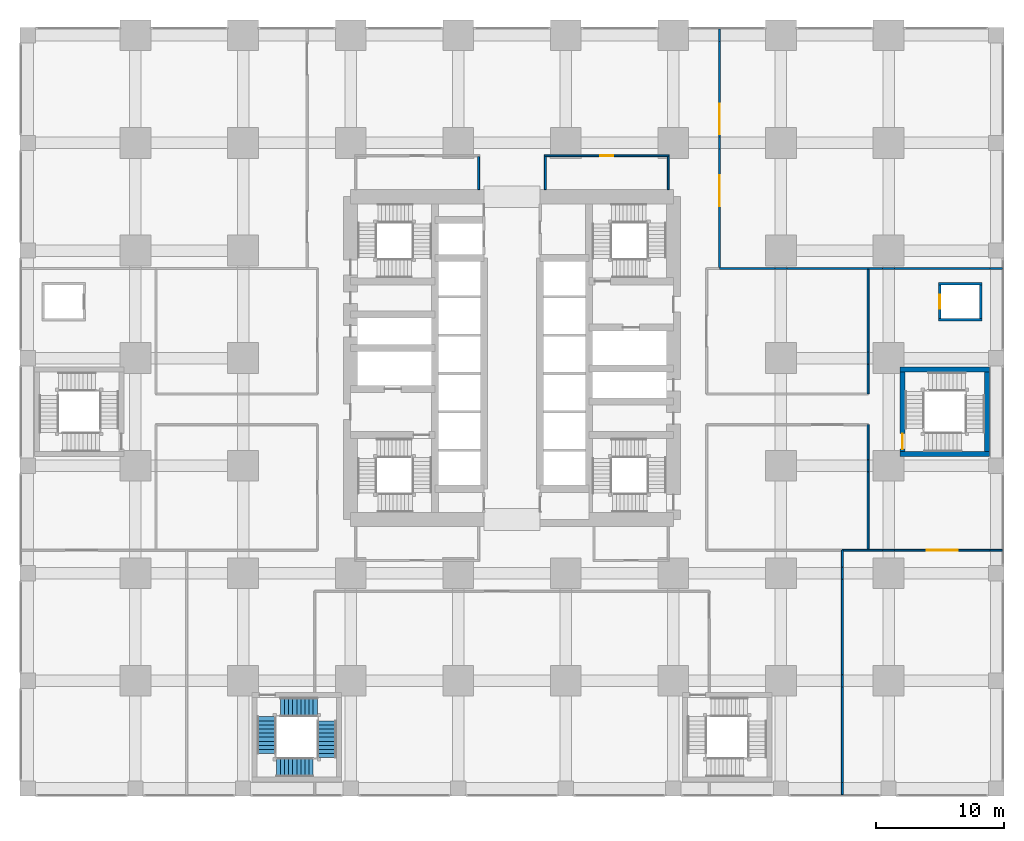
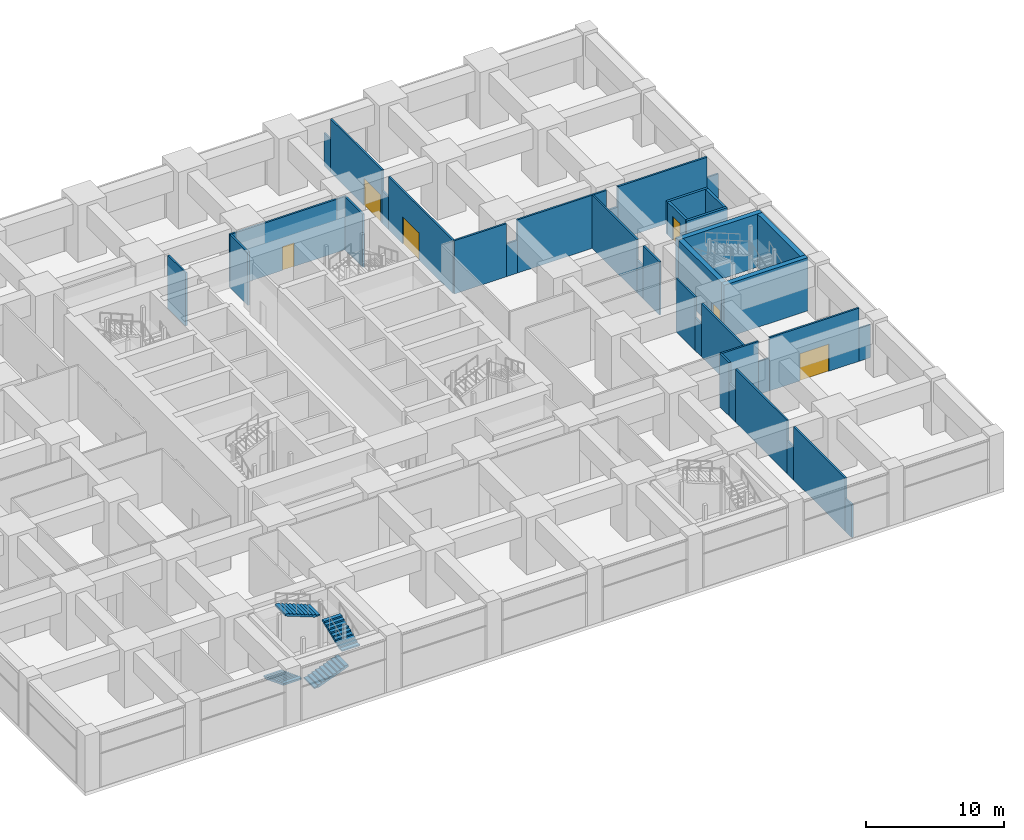
# One storey, part 39 of 49: 38 walls, 6 doors, 4 stair flights, 6 openings, 1 element without a shape of its own.
"""IFC4 building model written with IfcOpenShell, lengths in metres."""

from ifc_helpers import new_model, si_unit, direction, frame, frame_2d, origin, place, context, subcontext, project, spatial, polyline, rectangle, outline, extrude, material, layer, layer_set, type_object, element, fill, aggregate, save


model = new_model("IFC4")

# Units and contexts
model_context = context("Model", 3, precision=1e-05, world=origin(), true_north=direction((0.0, 1.0)))
body_context = subcontext(model_context, "Body", "Model", "MODEL_VIEW")
ifc_project = project(units=[si_unit("LENGTHUNIT", "METRE"), si_unit("AREAUNIT", "SQUARE_METRE"), si_unit("VOLUMEUNIT", "CUBIC_METRE"), si_unit("PLANEANGLEUNIT", "RADIAN"), si_unit("MASSUNIT", "GRAM", prefix="KILO")], contexts=[model_context])

# Site, building, storey
site_placement = place(None, origin())
site = spatial("IfcSite", under=ifc_project, at=site_placement, CompositionType="ELEMENT")
building_placement = place(site_placement, origin())
building = spatial("IfcBuilding", under=site, at=building_placement, Name="Rekha Terrace Tower", CompositionType="ELEMENT")
storey_placement = place(building_placement, frame((0.0, 0.0, 5.39990234375)))
storey = spatial("IfcBuildingStorey", under=building, at=storey_placement, Name="L01", CompositionType="ELEMENT", Elevation=5.39990234375)

# Wall, opening, door
ifc_material_1 = material(Name="Concrete block masonry, 1 hour", Category="masonry")
ifc_layer_1 = layer(ifc_material_1, 0.14990234375)
ifc_layer_set_1 = layer_set([ifc_layer_1], Name="Concrete block masonry, 1 hour")
wall_type_1 = type_object("IfcWallType", Name="WP2 150 tenancy partition", PredefinedType="PARTITIONING", material=ifc_layer_set_1)
wall_1_placement = place(storey_placement, frame((40.324951171875, 49.39990234375, 0.0), z_axis=(0.0, 0.0, 1.0), x_axis=(1.0, 0.0, 0.0)))
wall_1 = element("IfcWall", 1, at=wall_1_placement, inside=storey, type_object=wall_type_1, Name="Women's WC wall L01", PredefinedType="PARTITIONING", context=body_context, shape_type="SweptSolid", body=[
    extrude(rectangle(XDim=9.75, YDim=0.14990234375, at=frame_2d((4.875, 0.0))), origin(), (0.0, 0.0, 1.0), 4.7001953125),
])
opening_1_placement = place(wall_1_placement, frame((4.375, 0.0, 0.0)))
opening_1 = element("IfcOpeningElement", 2, at=opening_1_placement, cuts=wall_1, Name="Opening D3", PredefinedType="OPENING", context=body_context, shape_type="SweptSolid", body=[
    extrude(rectangle(XDim=1.0, YDim=2.10009765625, at=frame_2d((0.5, 1.050048828125))), frame((0.0, 0.0849609375, 0.0), z_axis=(0.0, -1.0, 0.0), x_axis=(1.0, 0.0, 0.0)), (0.0, 0.0, 1.0), 0.169921875),
])
ifc_material_2 = material(Name="Laminated timber fire door", Category="wood")
door_type_1 = type_object("IfcDoorType", Name="D3 1000x2100 WC door", OperationType="SINGLE_SWING_LEFT", PredefinedType="DOOR", material=ifc_material_2)
door_1_placement = place(opening_1_placement, origin())
door_1 = element("IfcDoor", 3, at=door_1_placement, inside=storey, type_object=door_type_1, Name="Door women's wc L01", OperationType="SINGLE_SWING_LEFT", OverallHeight=2.10009765625, OverallWidth=1.0, PredefinedType="DOOR", context=body_context, shape_type="SweptSolid", body=[
    extrude(rectangle(XDim=1.0, YDim=2.10009765625, at=frame_2d((0.5, 1.050048828125))), frame((0.0, 0.02490234375, 0.0), z_axis=(0.0, -1.0, 0.0), x_axis=(1.0, 0.0, 0.0)), (0.0, 0.0, 1.0), 0.050048828125),
])
fill(opening_1, door_1)

# Walls
for number, where, z_axis, x_axis, name in (
    (4, (40.39990234375, 46.75, 0.0), (0.0, 0.0, 1.0), (0.0, 1.0, 0.0), "Women's WC wall L01"),
    (5, (50.0, 46.75, 0.0), (0.0, 0.0, 1.0), (0.0, 1.0, 0.0), "Women's WC wall L01"),
    (6, (35.199951171875, 46.75, 0.0), (0.0, 0.0, 1.0), (0.0, 1.0, 0.0), "Women's WC wall L01"),
):
    element("IfcWall", number, at=place(storey_placement, frame(where, z_axis=z_axis, x_axis=x_axis)), inside=storey, type_object=wall_type_1, Name=name, PredefinedType="PARTITIONING", context=body_context, shape_type="SweptSolid", body=[
        extrude(rectangle(XDim=2.574951171875, YDim=0.14990234375, at=frame_2d((1.28759765625, 0.0))), origin(), (0.0, 0.0, 1.0), 4.7001953125),
    ])
wall_2_placement = place(storey_placement, frame((76.090087890625, 40.60009765625, 0.0), z_axis=(0.0, 0.0, 1.0), x_axis=(-1.0, 0.0, 0.0)))
element("IfcWall", 7, at=wall_2_placement, inside=storey, type_object=wall_type_1, Name="Partition L01-04", PredefinedType="PARTITIONING", context=body_context, shape_type="SweptSolid", body=[
    extrude(rectangle(XDim=0.9501953125, YDim=0.14990234375, at=frame_2d((0.47509765625, 0.0))), origin(), (0.0, 0.0, 1.0), 2.900146484375),
])
wall_3_placement = place(storey_placement, frame((75.139892578125, 40.60009765625, 0.0), z_axis=(0.0, 0.0, 1.0), x_axis=(-1.0, 0.0, 0.0)))
element("IfcWall", 8, at=wall_3_placement, inside=storey, type_object=wall_type_1, Name="Partition L01-04", PredefinedType="PARTITIONING", context=body_context, shape_type="SweptSolid", body=[
    extrude(rectangle(XDim=7.47998046875, YDim=0.14990234375, at=frame_2d((3.739990234375, 0.0))), origin(), (0.0, 0.0, 1.0), 4.7001953125),
])
wall_4_placement = place(storey_placement, frame((67.659912109375, 40.60009765625, 0.0), z_axis=(0.0, 0.0, 1.0), x_axis=(-1.0, 0.0, 0.0)))
element("IfcWall", 9, at=wall_4_placement, inside=storey, type_object=wall_type_1, Name="Partition L01-04", PredefinedType="PARTITIONING", context=body_context, shape_type="SweptSolid", body=[
    extrude(rectangle(XDim=0.919921875, YDim=0.14990234375, at=frame_2d((0.4599609375, 0.0))), origin(), (0.0, 0.0, 1.0), 2.900146484375),
])
wall_5_placement = place(storey_placement, frame((66.739990234375, 40.60009765625, 0.0), z_axis=(0.0, 0.0, 1.0), x_axis=(-1.0, 0.0, 0.0)))
element("IfcWall", 10, at=wall_5_placement, inside=storey, type_object=wall_type_1, Name="Partition L01-04", PredefinedType="PARTITIONING", context=body_context, shape_type="SweptSolid", body=[
    extrude(rectangle(XDim=7.47998046875, YDim=0.14990234375, at=frame_2d((3.739990234375, 0.0))), origin(), (0.0, 0.0, 1.0), 4.7001953125),
])
wall_6_placement = place(storey_placement, frame((59.260009765625, 40.60009765625, 0.0), z_axis=(0.0, 0.0, 1.0), x_axis=(-1.0, 0.0, 0.0)))
element("IfcWall", 11, at=wall_6_placement, inside=storey, type_object=wall_type_1, Name="Partition L01-04", PredefinedType="PARTITIONING", context=body_context, shape_type="SweptSolid", body=[
    extrude(rectangle(XDim=0.919921875, YDim=0.14990234375, at=frame_2d((0.4599609375, 0.0))), origin(), (0.0, 0.0, 1.0), 2.900146484375),
])
wall_7_placement = place(storey_placement, frame((58.340087890625, 40.60009765625, 0.0), z_axis=(0.0, 0.0, 1.0), x_axis=(-1.0, 0.0, 0.0)))
element("IfcWall", 12, at=wall_7_placement, inside=storey, type_object=wall_type_1, Name="Partition L01-04", PredefinedType="PARTITIONING", context=body_context, shape_type="SweptSolid", body=[
    extrude(rectangle(XDim=4.340087890625, YDim=0.14990234375, at=frame_2d((2.169921875, 0.0))), origin(), (0.0, 0.0, 1.0), 4.7001953125),
])

# Wall, opening, door
wall_8_placement = place(storey_placement, frame((54.0, 40.60009765625, 0.0), z_axis=(0.0, 0.0, 1.0), x_axis=(0.0, 1.0, 0.0)))
wall_8 = element("IfcWall", 13, at=wall_8_placement, inside=storey, type_object=wall_type_1, Name="Partition L01-04", PredefinedType="PARTITIONING", context=body_context, shape_type="SweptSolid", body=[
    extrude(rectangle(XDim=9.33984375, YDim=0.14990234375, at=frame_2d((4.669921875, 0.0))), origin(), (0.0, 0.0, 1.0), 4.7001953125),
])
opening_2_placement = place(wall_8_placement, frame((4.875, 0.0, 0.0)))
opening_2 = element("IfcOpeningElement", 14, at=opening_2_placement, cuts=wall_8, Name="Opening D7", PredefinedType="OPENING", context=body_context, shape_type="SweptSolid", body=[
    extrude(rectangle(XDim=2.39990234375, YDim=2.39990234375, at=frame_2d((1.199951171875, 1.199951171875))), frame((0.0, 0.0849609375, 0.0), z_axis=(0.0, -1.0, 0.0), x_axis=(1.0, 0.0, 0.0)), (0.0, 0.0, 1.0), 0.169921875),
])
ifc_material_3 = material(Name="Glazed aluminium door", Category="aluminium")
door_type_2 = type_object("IfcDoorType", Name="D7 2400x2400 shopfront double door", OperationType="DOUBLE_DOOR_SINGLE_SWING", PredefinedType="DOOR", material=ifc_material_3)
door_2_placement = place(opening_2_placement, origin())
door_2 = element("IfcDoor", 15, at=door_2_placement, inside=storey, type_object=door_type_2, Name="Door retail unit 6 L01", OperationType="DOUBLE_DOOR_SINGLE_SWING", OverallHeight=2.39990234375, OverallWidth=2.39990234375, PredefinedType="DOOR", context=body_context, shape_type="SweptSolid", body=[
    extrude(rectangle(XDim=2.39990234375, YDim=2.39990234375, at=frame_2d((1.199951171875, 1.199951171875))), frame((0.0, 0.02490234375, 0.0), z_axis=(0.0, -1.0, 0.0), x_axis=(1.0, 0.0, 0.0)), (0.0, 0.0, 1.0), 0.050048828125),
])
fill(opening_2, door_2)

# Wall
wall_9_placement = place(storey_placement, frame((54.0, 49.93994140625, 0.0), z_axis=(0.0, 0.0, 1.0), x_axis=(0.0, 1.0, 0.0)))
element("IfcWall", 16, at=wall_9_placement, inside=storey, type_object=wall_type_1, Name="Partition L01-04", PredefinedType="PARTITIONING", context=body_context, shape_type="SweptSolid", body=[
    extrude(rectangle(XDim=0.920166015625, YDim=0.14990234375, at=frame_2d((0.4599609375, 0.0))), origin(), (0.0, 0.0, 1.0), 2.900146484375),
])

# Wall, opening, door
wall_10_placement = place(storey_placement, frame((54.0, 50.860107421875, 0.0), z_axis=(0.0, 0.0, 1.0), x_axis=(0.0, 1.0, 0.0)))
wall_10 = element("IfcWall", 17, at=wall_10_placement, inside=storey, type_object=wall_type_1, Name="Partition L01-04", PredefinedType="PARTITIONING", context=body_context, shape_type="SweptSolid", body=[
    extrude(rectangle(XDim=7.47998046875, YDim=0.14990234375, at=frame_2d((3.739990234375, 0.0))), origin(), (0.0, 0.0, 1.0), 4.7001953125),
])
opening_3_placement = place(wall_10_placement, frame((0.205078125, 0.0, 0.0)))
opening_3 = element("IfcOpeningElement", 18, at=opening_3_placement, cuts=wall_10, Name="Opening D7", PredefinedType="OPENING", context=body_context, shape_type="SweptSolid", body=[
    extrude(rectangle(XDim=2.39990234375, YDim=2.39990234375, at=frame_2d((1.199951171875, 1.199951171875))), frame((0.0, 0.0849609375, 0.0), z_axis=(0.0, -1.0, 0.0), x_axis=(1.0, 0.0, 0.0)), (0.0, 0.0, 1.0), 0.169921875),
])
door_3_placement = place(opening_3_placement, origin())
door_3 = element("IfcDoor", 19, at=door_3_placement, inside=storey, type_object=door_type_2, Name="Door retail unit 6 L01", OperationType="DOUBLE_DOOR_SINGLE_SWING", OverallHeight=2.39990234375, OverallWidth=2.39990234375, PredefinedType="DOOR", context=body_context, shape_type="SweptSolid", body=[
    extrude(rectangle(XDim=2.39990234375, YDim=2.39990234375, at=frame_2d((1.199951171875, 1.199951171875))), frame((0.0, 0.02490234375, 0.0), z_axis=(0.0, -1.0, 0.0), x_axis=(1.0, 0.0, 0.0)), (0.0, 0.0, 1.0), 0.050048828125),
])
fill(opening_3, door_3)

# Walls
for number, where, z_axis, x_axis, name in (
    (20, (54.0, 58.340087890625, 0.0), (0.0, 0.0, 1.0), (0.0, 1.0, 0.0), "Partition L01-04"),
    (21, (63.60009765625, -0.489990234375, 0.0), (0.0, 0.0, 1.0), (0.0, 1.0, 0.0), "Partition L01-06"),
):
    element("IfcWall", number, at=place(storey_placement, frame(where, z_axis=z_axis, x_axis=x_axis)), inside=storey, type_object=wall_type_1, Name=name, PredefinedType="PARTITIONING", context=body_context, shape_type="SweptSolid", body=[
        extrude(rectangle(XDim=0.949951171875, YDim=0.14990234375, at=frame_2d((0.47509765625, 0.0))), origin(), (0.0, 0.0, 1.0), 2.900146484375),
    ])
wall_11_placement = place(storey_placement, frame((63.60009765625, 0.4599609375, 0.0), z_axis=(0.0, 0.0, 1.0), x_axis=(0.0, 1.0, 0.0)))
element("IfcWall", 22, at=wall_11_placement, inside=storey, type_object=wall_type_1, Name="Partition L01-06", PredefinedType="PARTITIONING", context=body_context, shape_type="SweptSolid", body=[
    extrude(rectangle(XDim=7.47998046875, YDim=0.14990234375, at=frame_2d((3.739990234375, 0.0))), origin(), (0.0, 0.0, 1.0), 4.7001953125),
])
wall_12_placement = place(storey_placement, frame((63.60009765625, 7.93994140625, 0.0), z_axis=(0.0, 0.0, 1.0), x_axis=(0.0, 1.0, 0.0)))
element("IfcWall", 23, at=wall_12_placement, inside=storey, type_object=wall_type_1, Name="Partition L01-06", PredefinedType="PARTITIONING", context=body_context, shape_type="SweptSolid", body=[
    extrude(rectangle(XDim=0.920166015625, YDim=0.14990234375, at=frame_2d((0.4599609375, 0.0))), origin(), (0.0, 0.0, 1.0), 2.900146484375),
])
wall_13_placement = place(storey_placement, frame((63.60009765625, 8.860107421875, 0.0), z_axis=(0.0, 0.0, 1.0), x_axis=(0.0, 1.0, 0.0)))
element("IfcWall", 24, at=wall_13_placement, inside=storey, type_object=wall_type_1, Name="Partition L01-06", PredefinedType="PARTITIONING", context=body_context, shape_type="SweptSolid", body=[
    extrude(rectangle(XDim=7.47998046875, YDim=0.14990234375, at=frame_2d((3.739990234375, 0.0))), origin(), (0.0, 0.0, 1.0), 4.7001953125),
])
wall_14_placement = place(storey_placement, frame((63.60009765625, 16.340087890625, 0.0), z_axis=(0.0, 0.0, 1.0), x_axis=(0.0, 1.0, 0.0)))
element("IfcWall", 25, at=wall_14_placement, inside=storey, type_object=wall_type_1, Name="Partition L01-06", PredefinedType="PARTITIONING", context=body_context, shape_type="SweptSolid", body=[
    extrude(rectangle(XDim=0.919921875, YDim=0.14990234375, at=frame_2d((0.4599609375, 0.0))), origin(), (0.0, 0.0, 1.0), 2.900146484375),
])
wall_15_placement = place(storey_placement, frame((63.60009765625, 17.260009765625, 0.0), z_axis=(0.0, 0.0, 1.0), x_axis=(0.0, 1.0, 0.0)))
element("IfcWall", 26, at=wall_15_placement, inside=storey, type_object=wall_type_1, Name="Partition L01-06", PredefinedType="PARTITIONING", context=body_context, shape_type="SweptSolid", body=[
    extrude(rectangle(XDim=1.340087890625, YDim=0.14990234375, at=frame_2d((0.669921875, 0.0))), origin(), (0.0, 0.0, 1.0), 4.7001953125),
])
wall_16_placement = place(storey_placement, frame((63.60009765625, 18.60009765625, 0.0), z_axis=(0.0, 0.0, 1.0), x_axis=(1.0, 0.0, 0.0)))
element("IfcWall", 27, at=wall_16_placement, inside=storey, type_object=wall_type_1, Name="Partition L01-06", PredefinedType="PARTITIONING", context=body_context, shape_type="SweptSolid", body=[
    extrude(rectangle(XDim=3.139892578125, YDim=0.14990234375, at=frame_2d((1.56982421875, 0.0))), origin(), (0.0, 0.0, 1.0), 4.7001953125),
])
wall_17_placement = place(storey_placement, frame((66.739990234375, 18.60009765625, 0.0), z_axis=(0.0, 0.0, 1.0), x_axis=(1.0, 0.0, 0.0)))
element("IfcWall", 28, at=wall_17_placement, inside=storey, type_object=wall_type_1, Name="Partition L01-06", PredefinedType="PARTITIONING", context=body_context, shape_type="SweptSolid", body=[
    extrude(rectangle(XDim=0.919921875, YDim=0.14990234375, at=frame_2d((0.4599609375, 0.0))), origin(), (0.0, 0.0, 1.0), 2.900146484375),
])

# Wall, opening, door
wall_18_placement = place(storey_placement, frame((67.659912109375, 18.60009765625, 0.0), z_axis=(0.0, 0.0, 1.0), x_axis=(1.0, 0.0, 0.0)))
wall_18 = element("IfcWall", 29, at=wall_18_placement, inside=storey, type_object=wall_type_1, Name="Partition L01-06", PredefinedType="PARTITIONING", context=body_context, shape_type="SweptSolid", body=[
    extrude(rectangle(XDim=7.47998046875, YDim=0.14990234375, at=frame_2d((3.739990234375, 0.0))), origin(), (0.0, 0.0, 1.0), 4.7001953125),
])
opening_4_placement = place(wall_18_placement, frame((2.5400390625, 0.0, 0.0)))
opening_4 = element("IfcOpeningElement", 30, at=opening_4_placement, cuts=wall_18, Name="Opening D7", PredefinedType="OPENING", context=body_context, shape_type="SweptSolid", body=[
    extrude(rectangle(XDim=2.39990234375, YDim=2.39990234375, at=frame_2d((1.199951171875, 1.199951171875))), frame((0.0, 0.0849609375, 0.0), z_axis=(0.0, -1.0, 0.0), x_axis=(1.0, 0.0, 0.0)), (0.0, 0.0, 1.0), 0.169921875),
])
door_4_placement = place(opening_4_placement, origin())
door_4 = element("IfcDoor", 31, at=door_4_placement, inside=storey, type_object=door_type_2, Name="Door retail unit 8 L01", OperationType="DOUBLE_DOOR_SINGLE_SWING", OverallHeight=2.39990234375, OverallWidth=2.39990234375, PredefinedType="DOOR", context=body_context, shape_type="SweptSolid", body=[
    extrude(rectangle(XDim=2.39990234375, YDim=2.39990234375, at=frame_2d((1.199951171875, 1.199951171875))), frame((0.0, 0.02490234375, 0.0), z_axis=(0.0, -1.0, 0.0), x_axis=(1.0, 0.0, 0.0)), (0.0, 0.0, 1.0), 0.050048828125),
])
fill(opening_4, door_4)

# Walls
wall_19_placement = place(storey_placement, frame((75.139892578125, 18.60009765625, 0.0), z_axis=(0.0, 0.0, 1.0), x_axis=(1.0, 0.0, 0.0)))
element("IfcWall", 32, at=wall_19_placement, inside=storey, type_object=wall_type_1, Name="Partition L01-06", PredefinedType="PARTITIONING", context=body_context, shape_type="SweptSolid", body=[
    extrude(rectangle(XDim=0.9501953125, YDim=0.14990234375, at=frame_2d((0.47509765625, 0.0))), origin(), (0.0, 0.0, 1.0), 2.900146484375),
])
wall_20_placement = place(storey_placement, frame((65.60009765625, 28.39990234375, 0.0), z_axis=(0.0, 0.0, 1.0), x_axis=(0.0, -1.0, 0.0)))
element("IfcWall", 33, at=wall_20_placement, inside=storey, type_object=wall_type_1, Name="Partition L01-09", PredefinedType="PARTITIONING", context=body_context, shape_type="SweptSolid", body=[
    extrude(rectangle(XDim=2.739990234375, YDim=0.14990234375, at=frame_2d((1.3701171875, 0.0))), origin(), (0.0, 0.0, 1.0), 4.7001953125),
])
wall_21_placement = place(storey_placement, frame((65.60009765625, 25.659912109375, 0.0), z_axis=(0.0, 0.0, 1.0), x_axis=(0.0, -1.0, 0.0)))
element("IfcWall", 34, at=wall_21_placement, inside=storey, type_object=wall_type_1, Name="Partition L01-09", PredefinedType="PARTITIONING", context=body_context, shape_type="SweptSolid", body=[
    extrude(rectangle(XDim=0.919921875, YDim=0.14990234375, at=frame_2d((0.4599609375, 0.0))), origin(), (0.0, 0.0, 1.0), 2.900146484375),
])
wall_22_placement = place(storey_placement, frame((65.60009765625, 24.739990234375, 0.0), z_axis=(0.0, 0.0, 1.0), x_axis=(0.0, -1.0, 0.0)))
element("IfcWall", 35, at=wall_22_placement, inside=storey, type_object=wall_type_1, Name="Partition L01-09", PredefinedType="PARTITIONING", context=body_context, shape_type="SweptSolid", body=[
    extrude(rectangle(XDim=6.06494140625, YDim=0.14990234375, at=frame_2d((3.032470703125, 0.0))), origin(), (0.0, 0.0, 1.0), 4.7001953125),
])
wall_23_placement = place(storey_placement, frame((65.60009765625, 40.52490234375, 0.0), z_axis=(0.0, 0.0, 1.0), x_axis=(0.0, -1.0, 0.0)))
element("IfcWall", 36, at=wall_23_placement, inside=storey, type_object=wall_type_1, Name="Partition L01-10", PredefinedType="PARTITIONING", context=body_context, shape_type="SweptSolid", body=[
    extrude(rectangle(XDim=6.46484375, YDim=0.14990234375, at=frame_2d((3.232421875, 0.0))), origin(), (0.0, 0.0, 1.0), 4.7001953125),
])
wall_24_placement = place(storey_placement, frame((65.60009765625, 34.06005859375, 0.0), z_axis=(0.0, 0.0, 1.0), x_axis=(0.0, -1.0, 0.0)))
element("IfcWall", 37, at=wall_24_placement, inside=storey, type_object=wall_type_1, Name="Partition L01-10", PredefinedType="PARTITIONING", context=body_context, shape_type="SweptSolid", body=[
    extrude(rectangle(XDim=0.920166015625, YDim=0.14990234375, at=frame_2d((0.4599609375, 0.0))), origin(), (0.0, 0.0, 1.0), 2.900146484375),
])
wall_25_placement = place(storey_placement, frame((65.60009765625, 33.139892578125, 0.0), z_axis=(0.0, 0.0, 1.0), x_axis=(0.0, -1.0, 0.0)))
element("IfcWall", 38, at=wall_25_placement, inside=storey, type_object=wall_type_1, Name="Partition L01-10", PredefinedType="PARTITIONING", context=body_context, shape_type="SweptSolid", body=[
    extrude(rectangle(XDim=2.33984375, YDim=0.14990234375, at=frame_2d((1.169921875, 0.0))), origin(), (0.0, 0.0, 1.0), 4.7001953125),
])
ifc_material_4 = material(Name="Solid concrete block masonry, 2 hour", Category="masonry")
ifc_layer_2 = layer(ifc_material_4, 0.199951171875)
ifc_layer_set_2 = layer_set([ifc_layer_2], Name="Solid concrete block masonry, 2 hour")
wall_type_2 = type_object("IfcWallType", Name="WS1 200 stair and shaft enclosure", PredefinedType="PARTITIONING", material=ifc_layer_set_2)
for number, where, z_axis, x_axis, name in (
    (39, (71.10009765625, 36.60009765625, 0.0), (0.0, 0.0, 1.0), (1.0, 0.0, 0.0), "Lift PL2 shaft south wall"),
    (40, (71.10009765625, 39.39990234375, 0.0), (0.0, 0.0, 1.0), (1.0, 0.0, 0.0), "Lift PL2 shaft north wall"),
):
    element("IfcWall", number, at=place(storey_placement, frame(where, z_axis=z_axis, x_axis=x_axis)), inside=storey, type_object=wall_type_2, Name=name, PredefinedType="PARTITIONING", context=body_context, shape_type="SweptSolid", body=[
        extrude(rectangle(XDim=3.39990234375, YDim=0.199951171875, at=frame_2d((1.699951171875, 0.0))), origin(), (0.0, 0.0, 1.0), 2.900146484375),
    ])

# Wall, opening, door
wall_26_placement = place(storey_placement, frame((71.199951171875, 36.699951171875, 0.0), z_axis=(0.0, 0.0, 1.0), x_axis=(0.0, 1.0, 0.0)))
wall_26 = element("IfcWall", 41, at=wall_26_placement, inside=storey, type_object=wall_type_2, Name="Lift PL2 shaft west wall", PredefinedType="PARTITIONING", context=body_context, shape_type="SweptSolid", body=[
    extrude(rectangle(XDim=2.60009765625, YDim=0.199951171875, at=frame_2d((1.300048828125, 0.0))), origin(), (0.0, 0.0, 1.0), 2.900146484375),
])
opening_5_placement = place(wall_26_placement, frame((0.75, 0.0, 0.0)))
opening_5 = element("IfcOpeningElement", 42, at=opening_5_placement, cuts=wall_26, Name="Opening LD1", PredefinedType="OPENING", context=body_context, shape_type="SweptSolid", body=[
    extrude(rectangle(XDim=1.10009765625, YDim=2.10009765625, at=frame_2d((0.550048828125, 1.050048828125))), frame((0.0, 0.10986328125, 0.0), z_axis=(0.0, -1.0, 0.0), x_axis=(1.0, 0.0, 0.0)), (0.0, 0.0, 1.0), 0.219970703125),
])
ifc_material_5 = material(Name="Stainless steel sliding landing door", Category="steel")
door_type_3 = type_object("IfcDoorType", Name="LD1 1100x2100 lift landing door", OperationType="SLIDING_TO_LEFT", PredefinedType="USERDEFINED", material=ifc_material_5)
door_5_placement = place(opening_5_placement, origin())
door_5 = element("IfcDoor", 43, at=door_5_placement, inside=storey, type_object=door_type_3, Name="Lift PL2 landing door L01", ObjectType="LIFT LANDING DOOR", OperationType="SLIDING_TO_LEFT", OverallHeight=2.10009765625, OverallWidth=1.10009765625, PredefinedType="USERDEFINED", context=body_context, shape_type="SweptSolid", body=[
    extrude(rectangle(XDim=1.10009765625, YDim=2.10009765625, at=frame_2d((0.550048828125, 1.050048828125))), frame((0.0, 0.02490234375, 0.0), z_axis=(0.0, -1.0, 0.0), x_axis=(1.0, 0.0, 0.0)), (0.0, 0.0, 1.0), 0.050048828125),
])
fill(opening_5, door_5)

# Walls
wall_27_placement = place(storey_placement, frame((74.39990234375, 36.699951171875, 0.0), z_axis=(0.0, 0.0, 1.0), x_axis=(0.0, 1.0, 0.0)))
element("IfcWall", 44, at=wall_27_placement, inside=storey, type_object=wall_type_2, Name="Lift PL2 shaft east wall", PredefinedType="PARTITIONING", context=body_context, shape_type="SweptSolid", body=[
    extrude(rectangle(XDim=2.60009765625, YDim=0.199951171875, at=frame_2d((1.300048828125, 0.0))), origin(), (0.0, 0.0, 1.0), 2.900146484375),
])
ifc_material_6 = material(Name="Concrete M60", Category="concrete")
ifc_layer_3 = layer(ifc_material_6, 0.39990234375)
ifc_layer_set_3 = layer_set([ifc_layer_3], Name="Concrete M60")
wall_type_3 = type_object("IfcWallType", Name="WS3 400 RC podium stair wall", PredefinedType="SOLIDWALL", material=ifc_layer_set_3)
for number, where, z_axis, x_axis, name in (
    (45, (68.10009765625, 26.10009765625, 0.0), (0.0, 0.0, 1.0), (1.0, 0.0, 0.0), "Stair SP2 south wall"),
    (46, (68.10009765625, 32.699951171875, 0.0), (0.0, 0.0, 1.0), (1.0, 0.0, 0.0), "Stair SP2 north wall"),
):
    element("IfcWall", number, at=place(storey_placement, frame(where, z_axis=z_axis, x_axis=x_axis)), inside=storey, type_object=wall_type_3, Name=name, PredefinedType="SOLIDWALL", context=body_context, shape_type="SweptSolid", body=[
        extrude(rectangle(XDim=7.0, YDim=0.39990234375, at=frame_2d((3.5, 0.0))), origin(), (0.0, 0.0, 1.0), 4.7001953125),
    ])

# Wall, opening, door
wall_28_placement = place(storey_placement, frame((68.300048828125, 26.300048828125, 0.0), z_axis=(0.0, 0.0, 1.0), x_axis=(0.0, 1.0, 0.0)))
wall_28 = element("IfcWall", 47, at=wall_28_placement, inside=storey, type_object=wall_type_3, Name="Stair SP2 west wall", PredefinedType="SOLIDWALL", context=body_context, shape_type="SweptSolid", body=[
    extrude(rectangle(XDim=6.199951171875, YDim=0.39990234375, at=frame_2d((3.10009765625, 0.0))), origin(), (0.0, 0.0, 1.0), 4.7001953125),
])
opening_6_placement = place(wall_28_placement, frame((0.199951171875, 0.0, 0.0)))
opening_6 = element("IfcOpeningElement", 48, at=opening_6_placement, cuts=wall_28, Name="Opening D1", PredefinedType="OPENING", context=body_context, shape_type="SweptSolid", body=[
    extrude(rectangle(XDim=1.199951171875, YDim=2.10009765625, at=frame_2d((0.60009765625, 1.050048828125))), frame((0.0, 0.2099609375, 0.0), z_axis=(0.0, -1.0, 0.0), x_axis=(1.0, 0.0, 0.0)), (0.0, 0.0, 1.0), 0.419921875),
])
ifc_material_7 = material(Name="Steel fire door", Category="steel")
door_type_4 = type_object("IfcDoorType", Name="D1 1200x2100 stair fire door", OperationType="SINGLE_SWING_RIGHT", PredefinedType="DOOR", material=ifc_material_7)
door_6_placement = place(opening_6_placement, origin())
door_6 = element("IfcDoor", 49, at=door_6_placement, inside=storey, type_object=door_type_4, Name="Stair SP2 door L01", OperationType="SINGLE_SWING_RIGHT", OverallHeight=2.10009765625, OverallWidth=1.199951171875, PredefinedType="DOOR", context=body_context, shape_type="SweptSolid", body=[
    extrude(rectangle(XDim=1.199951171875, YDim=2.10009765625, at=frame_2d((0.60009765625, 1.050048828125))), frame((0.0, 0.02490234375, 0.0), z_axis=(0.0, -1.0, 0.0), x_axis=(1.0, 0.0, 0.0)), (0.0, 0.0, 1.0), 0.050048828125),
])
fill(opening_6, door_6)

# Wall
wall_29_placement = place(storey_placement, frame((74.89990234375, 26.300048828125, 0.0), z_axis=(0.0, 0.0, 1.0), x_axis=(0.0, 1.0, 0.0)))
element("IfcWall", 50, at=wall_29_placement, inside=storey, type_object=wall_type_3, Name="Stair SP2 east wall", PredefinedType="SOLIDWALL", context=body_context, shape_type="SweptSolid", body=[
    extrude(rectangle(XDim=6.199951171875, YDim=0.39990234375, at=frame_2d((3.10009765625, 0.0))), origin(), (0.0, 0.0, 1.0), 4.7001953125),
])

# Stair, stair flights
ifc_material_8 = material(Name="Concrete M40", Category="concrete")
stair_type = type_object("IfcStairType", Name="ST40 stair, 40 risers of 125, going 320, 1500 wide flights, 4 flights", PredefinedType="QUARTER_TURN_STAIR", material=ifc_material_8)
stair_placement = place(storey_placement, origin())
stair = element("IfcStair", 51, at=stair_placement, inside=storey, type_object=stair_type, Name="Stair SP3 L01 to L02", PredefinedType="QUARTER_TURN_STAIR")
stair_flight_type = type_object("IfcStairFlightType", Name="SF10 stair flight, 10 risers of 125, going 320, 1500 wide", PredefinedType="STRAIGHT", material=ifc_material_8)
stair_flight_1_placement = place(storey_placement, frame((18.64990234375, 5.60009765625, 0.0), z_axis=(0.0, 0.0, 1.0), x_axis=(0.0, -1.0, 0.0)))
stair_flight_1 = element("IfcStairFlight", 52, at=stair_flight_1_placement, type_object=stair_flight_type, Name="SP3 flight 1", NumberOfRisers=10, NumberOfTreads=9, PredefinedType="STRAIGHT", RiserHeight=0.125, TreadLength=0.32, context=body_context, shape_type="SweptSolid", body=[
    extrude(outline(polyline([(0.0, 0.0), (0.0, 0.125), (0.320068359375, 0.125), (0.320068359375, 0.25), (0.639892578125, 0.25), (0.639892578125, 0.375), (0.9599609375, 0.375), (0.9599609375, 0.5), (1.280029296875, 0.5), (1.280029296875, 0.625), (1.60009765625, 0.625), (1.60009765625, 0.75), (1.919921875, 0.75), (1.919921875, 0.875), (2.239990234375, 0.875), (2.239990234375, 1.0), (2.56005859375, 1.0), (2.56005859375, 1.125), (2.8798828125, 1.125), (2.8798828125, 1.25), (2.8798828125, 0.964111328125), (0.412109375, 0.0), (0.0, 0.0)])), frame((0.0, 0.75, 0.0), z_axis=(0.0, -1.0, 0.0), x_axis=(1.0, 0.0, 0.0)), (0.0, 0.0, 1.0), 1.5),
])
stair_flight_2_placement = place(storey_placement, frame((19.39990234375, 1.64990234375, 1.25), z_axis=(0.0, 0.0, 1.0), x_axis=(1.0, 0.0, 0.0)))
stair_flight_2 = element("IfcStairFlight", 53, at=stair_flight_2_placement, type_object=stair_flight_type, Name="SP3 flight 2", NumberOfRisers=10, NumberOfTreads=9, PredefinedType="STRAIGHT", RiserHeight=0.125, TreadLength=0.32, context=body_context, shape_type="SweptSolid", body=[
    extrude(outline(polyline([(0.0, 0.0), (0.0, 0.125), (0.320068359375, 0.125), (0.320068359375, 0.25), (0.639892578125, 0.25), (0.639892578125, 0.375), (0.9599609375, 0.375), (0.9599609375, 0.5), (1.280029296875, 0.5), (1.280029296875, 0.625), (1.60009765625, 0.625), (1.60009765625, 0.75), (1.919921875, 0.75), (1.919921875, 0.875), (2.239990234375, 0.875), (2.239990234375, 1.0), (2.56005859375, 1.0), (2.56005859375, 1.125), (2.8798828125, 1.125), (2.8798828125, 1.25), (2.8798828125, 0.964111328125), (0.412109375, 0.0), (0.0, 0.0)])), frame((0.0, 0.75, 0.0), z_axis=(0.0, -1.0, 0.0), x_axis=(1.0, 0.0, 0.0)), (0.0, 0.0, 1.0), 1.5),
])
stair_flight_3_placement = place(storey_placement, frame((23.35009765625, 2.39990234375, 2.5), z_axis=(0.0, 0.0, 1.0), x_axis=(0.0, 1.0, 0.0)))
stair_flight_3 = element("IfcStairFlight", 54, at=stair_flight_3_placement, type_object=stair_flight_type, Name="SP3 flight 3", NumberOfRisers=10, NumberOfTreads=9, PredefinedType="STRAIGHT", RiserHeight=0.125, TreadLength=0.32, context=body_context, shape_type="SweptSolid", body=[
    extrude(outline(polyline([(0.0, 0.0), (0.0, 0.125), (0.320068359375, 0.125), (0.320068359375, 0.25), (0.639892578125, 0.25), (0.639892578125, 0.375), (0.9599609375, 0.375), (0.9599609375, 0.5), (1.280029296875, 0.5), (1.280029296875, 0.625), (1.60009765625, 0.625), (1.60009765625, 0.75), (1.919921875, 0.75), (1.919921875, 0.875), (2.239990234375, 0.875), (2.239990234375, 1.0), (2.56005859375, 1.0), (2.56005859375, 1.125), (2.8798828125, 1.125), (2.8798828125, 1.25), (2.8798828125, 0.964111328125), (0.412109375, 0.0), (0.0, 0.0)])), frame((0.0, 0.75, 0.0), z_axis=(0.0, -1.0, 0.0), x_axis=(1.0, 0.0, 0.0)), (0.0, 0.0, 1.0), 1.5),
])
stair_flight_4_placement = place(storey_placement, frame((22.60009765625, 6.35009765625, 3.75), z_axis=(0.0, 0.0, 1.0), x_axis=(-1.0, 0.0, 0.0)))
stair_flight_4 = element("IfcStairFlight", 55, at=stair_flight_4_placement, type_object=stair_flight_type, Name="SP3 flight 4", NumberOfRisers=10, NumberOfTreads=9, PredefinedType="STRAIGHT", RiserHeight=0.125, TreadLength=0.32, context=body_context, shape_type="SweptSolid", body=[
    extrude(outline(polyline([(0.0, 0.0), (0.0, 0.125), (0.320068359375, 0.125), (0.320068359375, 0.25), (0.639892578125, 0.25), (0.639892578125, 0.375), (0.9599609375, 0.375), (0.9599609375, 0.5), (1.280029296875, 0.5), (1.280029296875, 0.625), (1.60009765625, 0.625), (1.60009765625, 0.75), (1.919921875, 0.75), (1.919921875, 0.875), (2.239990234375, 0.875), (2.239990234375, 1.0), (2.56005859375, 1.0), (2.56005859375, 1.125), (2.8798828125, 1.125), (2.8798828125, 1.25), (2.8798828125, 0.964111328125), (0.412109375, 0.0), (0.0, 0.0)])), frame((0.0, 0.75, 0.0), z_axis=(0.0, -1.0, 0.0), x_axis=(1.0, 0.0, 0.0)), (0.0, 0.0, 1.0), 1.5),
])
aggregate(stair, [stair_flight_1, stair_flight_2, stair_flight_3, stair_flight_4])

save(model, "model.ifc")
